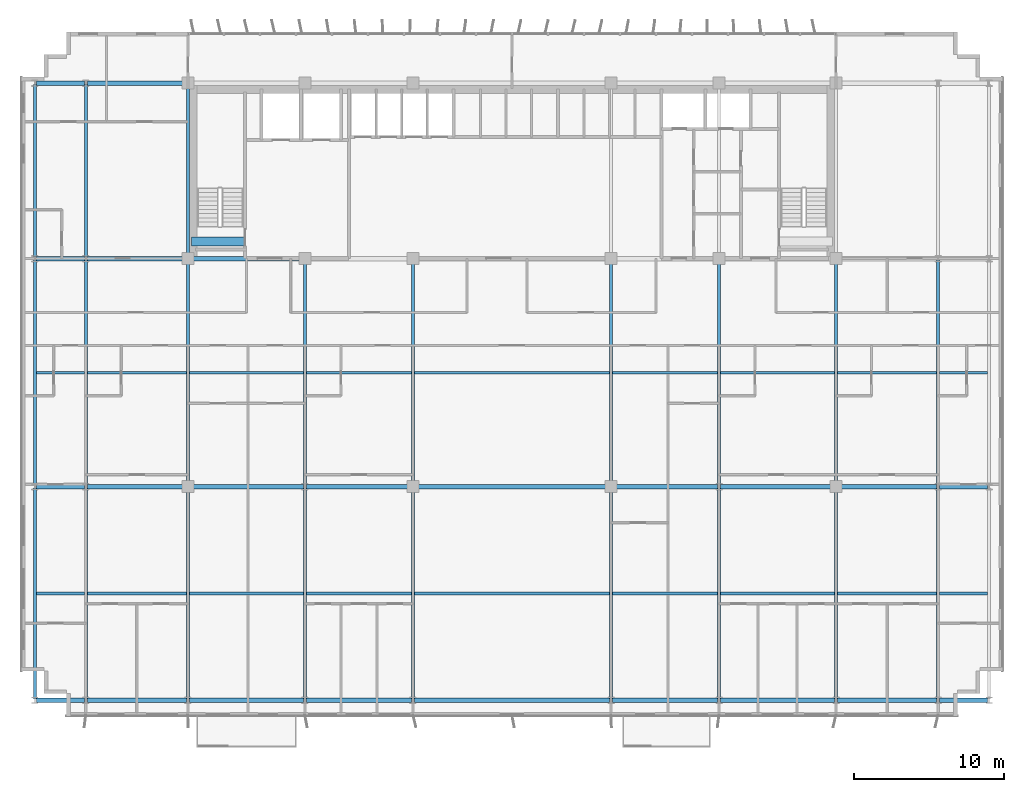
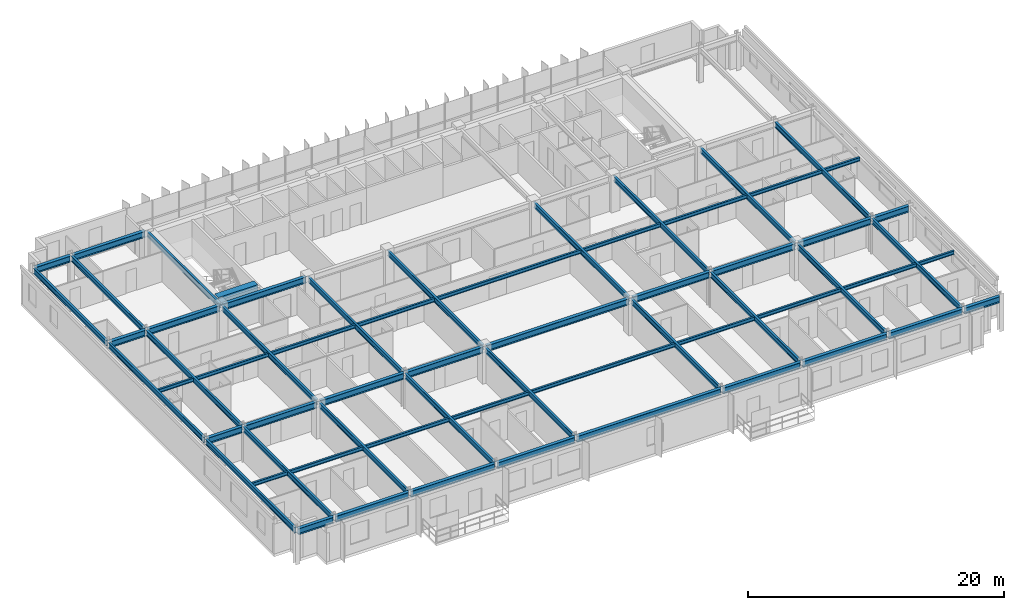
# One storey, part 4 of 22: 63 beams.
"""IFC4 building model written with IfcOpenShell, lengths in metres."""

from ifc_helpers import new_model, si_unit, direction, frame, origin, origin_2d, place, context, subcontext, project, spatial, rectangle, i_section, extrude, source, transform, mapped, material, material_profile, profile_set, type_object, element, save


model = new_model("IFC4")

# Units and contexts
model_context = context("Model", 3, precision=1e-05, world=origin(), true_north=direction((0.0, 1.0)))
body_context = subcontext(model_context, "Body", "Model", "MODEL_VIEW")
ifc_project = project(units=[si_unit("LENGTHUNIT", "METRE"), si_unit("AREAUNIT", "SQUARE_METRE"), si_unit("VOLUMEUNIT", "CUBIC_METRE"), si_unit("PLANEANGLEUNIT", "RADIAN"), si_unit("MASSUNIT", "GRAM", prefix="KILO")], contexts=[model_context])

# Site, building, storey
site_placement = place(None, origin())
site = spatial("IfcSite", under=ifc_project, at=site_placement, CompositionType="ELEMENT")
building_placement = place(site_placement, origin())
building = spatial("IfcBuilding", under=site, at=building_placement, Name="Trelvane Seafront Commons", CompositionType="ELEMENT")
storey_placement = place(building_placement, frame((0.0, 0.0, 96.10009765625)))
storey = spatial("IfcBuildingStorey", under=building, at=storey_placement, Name="L24", CompositionType="ELEMENT", Elevation=96.10009765625)

# Beams
ifc_material_1 = material(Name="Concrete C60/75", Category="concrete")
ifc_material_profile_1 = material_profile(ifc_material_1, rectangle(XDim=0.60009765625, YDim=0.89990234375, at=origin_2d()), Name="RC-600x900")
ifc_profile_set_1 = profile_set([ifc_material_profile_1], Name="Concrete C60/75")
beam_type_1 = type_object("IfcBeamType", Name="STR-LNT-RC600x900", PredefinedType="LINTEL", material=ifc_profile_set_1)
shared_shape_1 = source(origin(), body_context, "Body", "SweptSolid", [
    extrude(rectangle(XDim=0.60009765625, YDim=0.89990234375, at=origin_2d()), origin(), (0.0, 0.0, 1.0), 3.5498046875),
])
beam_1_placement = place(storey_placement, frame((15.85009765625, 34.550048828125, 2.889892578125), z_axis=(1.0, 0.0, 0.0), x_axis=(0.0, 1.0, 0.0)))
element("IfcBeam", 1, at=beam_1_placement, inside=storey, type_object=beam_type_1, Name="L24 Core Coupling Lintel Beam CB-85", PredefinedType="LINTEL", context=body_context, shape_type="MappedRepresentation", body=[
    mapped(shared_shape_1, transform((0.0, 0.0, 0.0), x_axis=(1.0, 0.0, 0.0), y_axis=(0.0, 1.0, 0.0), z_axis=(0.0, 0.0, 1.0), scale=1.0)),
])
ifc_material_2 = material(Name="Steel SM355 (S355)", Category="steel")
ifc_material_profile_2 = material_profile(ifc_material_2, i_section(OverallWidth=0.300048828125, OverallDepth=0.587890625, WebThickness=0.011962890625, FlangeThickness=0.02001953125, at=origin_2d()), Name="H-588x300x12x20")
ifc_profile_set_2 = profile_set([ifc_material_profile_2], Name="Steel SM355 (S355)")
beam_type_2 = type_object("IfcBeamType", Name="STR-BM-H588", PredefinedType="BEAM", material=ifc_profile_set_2)
shared_shape_2 = source(origin(), body_context, "Body", "SweptSolid", [
    extrude(i_section(OverallWidth=0.300048828125, OverallDepth=0.587890625, WebThickness=0.011962890625, FlangeThickness=0.02001953125, at=origin_2d()), origin(), (0.0, 0.0, 1.0), 7.550048828125),
])
beam_2_placement = place(storey_placement, frame((15.75, 18.199951171875, 3.0458984375), z_axis=(1.0, 0.0, 0.0), x_axis=(0.0, 1.0, 0.0)))
element("IfcBeam", 2, at=beam_2_placement, inside=storey, type_object=beam_type_2, Name="L24 Primary Girder G-12", PredefinedType="BEAM", context=body_context, shape_type="MappedRepresentation", body=[
    mapped(shared_shape_2, transform((0.0, 0.0, 0.0), x_axis=(1.0, 0.0, 0.0), y_axis=(0.0, 1.0, 0.0), z_axis=(0.0, 0.0, 1.0), scale=1.0)),
])
shared_shape_3 = source(origin(), body_context, "Body", "SweptSolid", [
    extrude(i_section(OverallWidth=0.300048828125, OverallDepth=0.587890625, WebThickness=0.011962890625, FlangeThickness=0.02001953125, at=origin_2d()), origin(), (0.0, 0.0, 1.0), 3.199951171875),
])
for number, where, z_axis, x_axis, name in (
    (3, (5.5, 3.949951171875, 3.0458984375), (1.0, 0.0, 0.0), (0.0, 1.0, 0.0), "L24 Primary Girder G-01"),
    (4, (65.699951171875, 3.949951171875, 3.0458984375), (1.0, 0.0, 0.0), (0.0, 1.0, 0.0), "L24 Primary Girder G-09"),
    (5, (5.5, 18.199951171875, 3.0458984375), (1.0, 0.0, 0.0), (0.0, 1.0, 0.0), "L24 Primary Girder G-10"),
    (6, (65.699951171875, 18.199951171875, 3.0458984375), (1.0, 0.0, 0.0), (0.0, 1.0, 0.0), "L24 Primary Girder G-18"),
    (7, (5.5, 33.39990234375, 3.0458984375), (1.0, 0.0, 0.0), (0.0, 1.0, 0.0), "L24 Primary Girder G-19"),
    (8, (5.5, 45.10009765625, 3.0458984375), (1.0, 0.0, 0.0), (0.0, 1.0, 0.0), "L24 Primary Girder G-28"),
):
    element("IfcBeam", number, at=place(storey_placement, frame(where, z_axis=z_axis, x_axis=x_axis)), inside=storey, type_object=beam_type_2, Name=name, PredefinedType="BEAM", context=body_context, shape_type="MappedRepresentation", body=[
        mapped(shared_shape_3, transform((0.0, 0.0, 0.0), x_axis=(1.0, 0.0, 0.0), y_axis=(0.0, 1.0, 0.0), z_axis=(0.0, 0.0, 1.0), scale=1.0)),
    ])
shared_shape_4 = source(origin(), body_context, "Body", "SweptSolid", [
    extrude(i_section(OverallWidth=0.300048828125, OverallDepth=0.587890625, WebThickness=0.011962890625, FlangeThickness=0.02001953125, at=origin_2d()), origin(), (0.0, 0.0, 1.0), 6.60009765625),
])
for number, where, z_axis, x_axis, name in (
    (9, (8.89990234375, 3.949951171875, 3.0458984375), (1.0, 0.0, 0.0), (0.0, 1.0, 0.0), "L24 Primary Girder G-02"),
    (10, (58.89990234375, 3.949951171875, 3.0458984375), (1.0, 0.0, 0.0), (0.0, 1.0, 0.0), "L24 Primary Girder G-08"),
):
    element("IfcBeam", number, at=place(storey_placement, frame(where, z_axis=z_axis, x_axis=x_axis)), inside=storey, type_object=beam_type_2, Name=name, PredefinedType="BEAM", context=body_context, shape_type="MappedRepresentation", body=[
        mapped(shared_shape_4, transform((0.0, 0.0, 0.0), x_axis=(1.0, 0.0, 0.0), y_axis=(0.0, 1.0, 0.0), z_axis=(0.0, 0.0, 1.0), scale=1.0)),
    ])
shared_shape_5 = source(origin(), body_context, "Body", "SweptSolid", [
    extrude(i_section(OverallWidth=0.300048828125, OverallDepth=0.587890625, WebThickness=0.011962890625, FlangeThickness=0.02001953125, at=origin_2d()), origin(), (0.0, 0.0, 1.0), 7.60009765625),
])
beam_3_placement = place(storey_placement, frame((15.699951171875, 3.949951171875, 3.0458984375), z_axis=(1.0, 0.0, 0.0), x_axis=(0.0, 1.0, 0.0)))
element("IfcBeam", 11, at=beam_3_placement, inside=storey, type_object=beam_type_2, Name="L24 Primary Girder G-03", PredefinedType="BEAM", context=body_context, shape_type="MappedRepresentation", body=[
    mapped(shared_shape_5, transform((0.0, 0.0, 0.0), x_axis=(1.0, 0.0, 0.0), y_axis=(0.0, 1.0, 0.0), z_axis=(0.0, 0.0, 1.0), scale=1.0)),
])
shared_shape_6 = source(origin(), body_context, "Body", "SweptSolid", [
    extrude(i_section(OverallWidth=0.300048828125, OverallDepth=0.587890625, WebThickness=0.011962890625, FlangeThickness=0.02001953125, at=origin_2d()), origin(), (0.0, 0.0, 1.0), 7.0),
])
for number, where, z_axis, x_axis, name in (
    (12, (23.5, 3.949951171875, 3.0458984375), (1.0, 0.0, 0.0), (0.0, 1.0, 0.0), "L24 Primary Girder G-04"),
    (13, (43.89990234375, 3.949951171875, 3.0458984375), (1.0, 0.0, 0.0), (0.0, 1.0, 0.0), "L24 Primary Girder G-06"),
):
    element("IfcBeam", number, at=place(storey_placement, frame(where, z_axis=z_axis, x_axis=x_axis)), inside=storey, type_object=beam_type_2, Name=name, PredefinedType="BEAM", context=body_context, shape_type="MappedRepresentation", body=[
        mapped(shared_shape_6, transform((0.0, 0.0, 0.0), x_axis=(1.0, 0.0, 0.0), y_axis=(0.0, 1.0, 0.0), z_axis=(0.0, 0.0, 1.0), scale=1.0)),
    ])
shared_shape_7 = source(origin(), body_context, "Body", "SweptSolid", [
    extrude(i_section(OverallWidth=0.300048828125, OverallDepth=0.587890625, WebThickness=0.011962890625, FlangeThickness=0.02001953125, at=origin_2d()), origin(), (0.0, 0.0, 1.0), 13.0),
])
beam_4_placement = place(storey_placement, frame((30.699951171875, 3.949951171875, 3.0458984375), z_axis=(1.0, 0.0, 0.0), x_axis=(0.0, 1.0, 0.0)))
element("IfcBeam", 14, at=beam_4_placement, inside=storey, type_object=beam_type_2, Name="L24 Primary Girder G-05", PredefinedType="BEAM", context=body_context, shape_type="MappedRepresentation", body=[
    mapped(shared_shape_7, transform((0.0, 0.0, 0.0), x_axis=(1.0, 0.0, 0.0), y_axis=(0.0, 1.0, 0.0), z_axis=(0.0, 0.0, 1.0), scale=1.0)),
])
shared_shape_8 = source(origin(), body_context, "Body", "SweptSolid", [
    extrude(i_section(OverallWidth=0.300048828125, OverallDepth=0.587890625, WebThickness=0.011962890625, FlangeThickness=0.02001953125, at=origin_2d()), origin(), (0.0, 0.0, 1.0), 7.599853515625),
])
beam_5_placement = place(storey_placement, frame((51.10009765625, 3.949951171875, 3.0458984375), z_axis=(1.0, 0.0, 0.0), x_axis=(0.0, 1.0, 0.0)))
element("IfcBeam", 15, at=beam_5_placement, inside=storey, type_object=beam_type_2, Name="L24 Primary Girder G-07", PredefinedType="BEAM", context=body_context, shape_type="MappedRepresentation", body=[
    mapped(shared_shape_8, transform((0.0, 0.0, 0.0), x_axis=(1.0, 0.0, 0.0), y_axis=(0.0, 1.0, 0.0), z_axis=(0.0, 0.0, 1.0), scale=1.0)),
])
shared_shape_9 = source(origin(), body_context, "Body", "SweptSolid", [
    extrude(i_section(OverallWidth=0.300048828125, OverallDepth=0.587890625, WebThickness=0.011962890625, FlangeThickness=0.02001953125, at=origin_2d()), origin(), (0.0, 0.0, 1.0), 6.550048828125),
])
for number, where, z_axis, x_axis, name in (
    (16, (8.89990234375, 18.199951171875, 3.0458984375), (1.0, 0.0, 0.0), (0.0, 1.0, 0.0), "L24 Primary Girder G-11"),
    (17, (58.949951171875, 18.199951171875, 3.0458984375), (1.0, 0.0, 0.0), (0.0, 1.0, 0.0), "L24 Primary Girder G-17"),
    (18, (8.89990234375, 33.39990234375, 3.0458984375), (1.0, 0.0, 0.0), (0.0, 1.0, 0.0), "L24 Primary Girder G-20"),
    (19, (8.89990234375, 45.10009765625, 3.0458984375), (1.0, 0.0, 0.0), (0.0, 1.0, 0.0), "L24 Primary Girder G-29"),
):
    element("IfcBeam", number, at=place(storey_placement, frame(where, z_axis=z_axis, x_axis=x_axis)), inside=storey, type_object=beam_type_2, Name=name, PredefinedType="BEAM", context=body_context, shape_type="MappedRepresentation", body=[
        mapped(shared_shape_9, transform((0.0, 0.0, 0.0), x_axis=(1.0, 0.0, 0.0), y_axis=(0.0, 1.0, 0.0), z_axis=(0.0, 0.0, 1.0), scale=1.0)),
    ])
shared_shape_10 = source(origin(), body_context, "Body", "SweptSolid", [
    extrude(i_section(OverallWidth=0.300048828125, OverallDepth=0.587890625, WebThickness=0.011962890625, FlangeThickness=0.02001953125, at=origin_2d()), origin(), (0.0, 0.0, 1.0), 6.949951171875),
])
for number, where, z_axis, x_axis, name in (
    (20, (23.5, 18.199951171875, 3.0458984375), (1.0, 0.0, 0.0), (0.0, 1.0, 0.0), "L24 Primary Girder G-13"),
    (21, (43.949951171875, 18.199951171875, 3.0458984375), (1.0, 0.0, 0.0), (0.0, 1.0, 0.0), "L24 Primary Girder G-15"),
):
    element("IfcBeam", number, at=place(storey_placement, frame(where, z_axis=z_axis, x_axis=x_axis)), inside=storey, type_object=beam_type_2, Name=name, PredefinedType="BEAM", context=body_context, shape_type="MappedRepresentation", body=[
        mapped(shared_shape_10, transform((0.0, 0.0, 0.0), x_axis=(1.0, 0.0, 0.0), y_axis=(0.0, 1.0, 0.0), z_axis=(0.0, 0.0, 1.0), scale=1.0)),
    ])
shared_shape_11 = source(origin(), body_context, "Body", "SweptSolid", [
    extrude(i_section(OverallWidth=0.300048828125, OverallDepth=0.587890625, WebThickness=0.011962890625, FlangeThickness=0.02001953125, at=origin_2d()), origin(), (0.0, 0.0, 1.0), 12.89990234375),
])
beam_6_placement = place(storey_placement, frame((30.75, 18.199951171875, 3.0458984375), z_axis=(1.0, 0.0, 0.0), x_axis=(0.0, 1.0, 0.0)))
element("IfcBeam", 22, at=beam_6_placement, inside=storey, type_object=beam_type_2, Name="L24 Primary Girder G-14", PredefinedType="BEAM", context=body_context, shape_type="MappedRepresentation", body=[
    mapped(shared_shape_11, transform((0.0, 0.0, 0.0), x_axis=(1.0, 0.0, 0.0), y_axis=(0.0, 1.0, 0.0), z_axis=(0.0, 0.0, 1.0), scale=1.0)),
])
shared_shape_12 = source(origin(), body_context, "Body", "SweptSolid", [
    extrude(i_section(OverallWidth=0.300048828125, OverallDepth=0.587890625, WebThickness=0.011962890625, FlangeThickness=0.02001953125, at=origin_2d()), origin(), (0.0, 0.0, 1.0), 7.5498046875),
])
beam_7_placement = place(storey_placement, frame((51.10009765625, 18.199951171875, 3.0458984375), z_axis=(1.0, 0.0, 0.0), x_axis=(0.0, 1.0, 0.0)))
element("IfcBeam", 23, at=beam_7_placement, inside=storey, type_object=beam_type_2, Name="L24 Primary Girder G-16", PredefinedType="BEAM", context=body_context, shape_type="MappedRepresentation", body=[
    mapped(shared_shape_12, transform((0.0, 0.0, 0.0), x_axis=(1.0, 0.0, 0.0), y_axis=(0.0, 1.0, 0.0), z_axis=(0.0, 0.0, 1.0), scale=1.0)),
])
shared_shape_13 = source(origin(), body_context, "Body", "SweptSolid", [
    extrude(i_section(OverallWidth=0.300048828125, OverallDepth=0.587890625, WebThickness=0.011962890625, FlangeThickness=0.02001953125, at=origin_2d()), origin(), (0.0, 0.0, 1.0), 7.5),
])
beam_8_placement = place(storey_placement, frame((15.75, 33.39990234375, 3.0458984375), z_axis=(1.0, 0.0, 0.0), x_axis=(0.0, 1.0, 0.0)))
element("IfcBeam", 24, at=beam_8_placement, inside=storey, type_object=beam_type_2, Name="L24 Primary Girder G-21", PredefinedType="BEAM", context=body_context, shape_type="MappedRepresentation", body=[
    mapped(shared_shape_13, transform((0.0, 0.0, 0.0), x_axis=(1.0, 0.0, 0.0), y_axis=(0.0, 1.0, 0.0), z_axis=(0.0, 0.0, 1.0), scale=1.0)),
])
ifc_material_profile_3 = material_profile(ifc_material_2, i_section(OverallWidth=0.199951171875, OverallDepth=0.5, WebThickness=0.010009765625, FlangeThickness=0.01611328125, at=origin_2d()), Name="H-500x200x10x16")
ifc_profile_set_3 = profile_set([ifc_material_profile_3], Name="Steel SM355 (S355)")
beam_type_3 = type_object("IfcBeamType", Name="STR-BM-H500", PredefinedType="BEAM", material=ifc_profile_set_3)
shared_shape_14 = source(origin(), body_context, "Body", "SweptSolid", [
    extrude(i_section(OverallWidth=0.199951171875, OverallDepth=0.5, WebThickness=0.010009765625, FlangeThickness=0.01611328125, at=origin_2d()), origin(), (0.0, 0.0, 1.0), 14.050048828125),
])
for number, where, z_axis, x_axis, name in (
    (25, (5.39990234375, 4.050048828125, 3.08984375), (0.0, 1.0, 0.0), (-1.0, 0.0, 0.0), "L24 Primary Girder G-37"),
    (26, (8.800048828125, 4.050048828125, 3.08984375), (0.0, 1.0, 0.0), (-1.0, 0.0, 0.0), "L24 Primary Girder G-40"),
    (27, (23.39990234375, 4.050048828125, 3.08984375), (0.0, 1.0, 0.0), (-1.0, 0.0, 0.0), "L24 Primary Girder G-46"),
    (28, (51.0, 4.050048828125, 3.08984375), (0.0, 1.0, 0.0), (-1.0, 0.0, 0.0), "L24 Primary Girder G-55"),
    (29, (65.60009765625, 4.050048828125, 3.08984375), (0.0, 1.0, 0.0), (-1.0, 0.0, 0.0), "L24 Primary Girder G-61"),
):
    element("IfcBeam", number, at=place(storey_placement, frame(where, z_axis=z_axis, x_axis=x_axis)), inside=storey, type_object=beam_type_3, Name=name, PredefinedType="BEAM", context=body_context, shape_type="MappedRepresentation", body=[
        mapped(shared_shape_14, transform((0.0, 0.0, 0.0), x_axis=(1.0, 0.0, 0.0), y_axis=(0.0, 1.0, 0.0), z_axis=(0.0, 0.0, 1.0), scale=1.0)),
    ])
shared_shape_15 = source(origin(), body_context, "Body", "SweptSolid", [
    extrude(i_section(OverallWidth=0.199951171875, OverallDepth=0.5, WebThickness=0.010009765625, FlangeThickness=0.01611328125, at=origin_2d()), origin(), (0.0, 0.0, 1.0), 15.0),
])
for number, where, z_axis, x_axis, name in (
    (30, (5.39990234375, 18.300048828125, 3.08984375), (0.0, 1.0, 0.0), (-1.0, 0.0, 0.0), "L24 Primary Girder G-38"),
    (31, (8.800048828125, 18.300048828125, 3.08984375), (0.0, 1.0, 0.0), (-1.0, 0.0, 0.0), "L24 Primary Girder G-41"),
    (32, (65.60009765625, 18.300048828125, 3.08984375), (0.0, 1.0, 0.0), (-1.0, 0.0, 0.0), "L24 Primary Girder G-62"),
):
    element("IfcBeam", number, at=place(storey_placement, frame(where, z_axis=z_axis, x_axis=x_axis)), inside=storey, type_object=beam_type_3, Name=name, PredefinedType="BEAM", context=body_context, shape_type="MappedRepresentation", body=[
        mapped(shared_shape_15, transform((0.0, 0.0, 0.0), x_axis=(1.0, 0.0, 0.0), y_axis=(0.0, 1.0, 0.0), z_axis=(0.0, 0.0, 1.0), scale=1.0)),
    ])
shared_shape_16 = source(origin(), body_context, "Body", "SweptSolid", [
    extrude(i_section(OverallWidth=0.199951171875, OverallDepth=0.5, WebThickness=0.010009765625, FlangeThickness=0.01611328125, at=origin_2d()), origin(), (0.0, 0.0, 1.0), 11.5),
])
for number, where, z_axis, x_axis, name in (
    (33, (5.39990234375, 33.5, 3.08984375), (0.0, 1.0, 0.0), (-1.0, 0.0, 0.0), "L24 Primary Girder G-39"),
    (34, (8.800048828125, 33.5, 3.08984375), (0.0, 1.0, 0.0), (-1.0, 0.0, 0.0), "L24 Primary Girder G-42"),
):
    element("IfcBeam", number, at=place(storey_placement, frame(where, z_axis=z_axis, x_axis=x_axis)), inside=storey, type_object=beam_type_3, Name=name, PredefinedType="BEAM", context=body_context, shape_type="MappedRepresentation", body=[
        mapped(shared_shape_16, transform((0.0, 0.0, 0.0), x_axis=(1.0, 0.0, 0.0), y_axis=(0.0, 1.0, 0.0), z_axis=(0.0, 0.0, 1.0), scale=1.0)),
    ])
shared_shape_17 = source(origin(), body_context, "Body", "SweptSolid", [
    extrude(i_section(OverallWidth=0.199951171875, OverallDepth=0.5, WebThickness=0.010009765625, FlangeThickness=0.01611328125, at=origin_2d()), origin(), (0.0, 0.0, 1.0), 14.0),
])
for number, where, z_axis, x_axis, name in (
    (35, (15.60009765625, 4.050048828125, 3.08984375), (0.0, 1.0, 0.0), (-1.0, 0.0, 0.0), "L24 Primary Girder G-43"),
    (36, (30.60009765625, 4.050048828125, 3.08984375), (0.0, 1.0, 0.0), (-1.0, 0.0, 0.0), "L24 Primary Girder G-49"),
    (37, (43.800048828125, 4.050048828125, 3.08984375), (0.0, 1.0, 0.0), (-1.0, 0.0, 0.0), "L24 Primary Girder G-52"),
    (38, (58.800048828125, 4.050048828125, 3.08984375), (0.0, 1.0, 0.0), (-1.0, 0.0, 0.0), "L24 Primary Girder G-58"),
):
    element("IfcBeam", number, at=place(storey_placement, frame(where, z_axis=z_axis, x_axis=x_axis)), inside=storey, type_object=beam_type_3, Name=name, PredefinedType="BEAM", context=body_context, shape_type="MappedRepresentation", body=[
        mapped(shared_shape_17, transform((0.0, 0.0, 0.0), x_axis=(1.0, 0.0, 0.0), y_axis=(0.0, 1.0, 0.0), z_axis=(0.0, 0.0, 1.0), scale=1.0)),
    ])
shared_shape_18 = source(origin(), body_context, "Body", "SweptSolid", [
    extrude(i_section(OverallWidth=0.199951171875, OverallDepth=0.5, WebThickness=0.010009765625, FlangeThickness=0.01611328125, at=origin_2d()), origin(), (0.0, 0.0, 1.0), 14.89990234375),
])
for number, where, z_axis, x_axis, name in (
    (39, (15.60009765625, 18.35009765625, 3.08984375), (0.0, 1.0, 0.0), (-1.0, 0.0, 0.0), "L24 Primary Girder G-44"),
    (40, (30.60009765625, 18.35009765625, 3.08984375), (0.0, 1.0, 0.0), (-1.0, 0.0, 0.0), "L24 Primary Girder G-50"),
    (41, (43.800048828125, 18.35009765625, 3.08984375), (0.0, 1.0, 0.0), (-1.0, 0.0, 0.0), "L24 Primary Girder G-53"),
    (42, (58.800048828125, 18.35009765625, 3.08984375), (0.0, 1.0, 0.0), (-1.0, 0.0, 0.0), "L24 Primary Girder G-59"),
):
    element("IfcBeam", number, at=place(storey_placement, frame(where, z_axis=z_axis, x_axis=x_axis)), inside=storey, type_object=beam_type_3, Name=name, PredefinedType="BEAM", context=body_context, shape_type="MappedRepresentation", body=[
        mapped(shared_shape_18, transform((0.0, 0.0, 0.0), x_axis=(1.0, 0.0, 0.0), y_axis=(0.0, 1.0, 0.0), z_axis=(0.0, 0.0, 1.0), scale=1.0)),
    ])
shared_shape_19 = source(origin(), body_context, "Body", "SweptSolid", [
    extrude(i_section(OverallWidth=0.199951171875, OverallDepth=0.5, WebThickness=0.010009765625, FlangeThickness=0.01611328125, at=origin_2d()), origin(), (0.0, 0.0, 1.0), 11.39990234375),
])
beam_9_placement = place(storey_placement, frame((15.60009765625, 33.550048828125, 3.08984375), z_axis=(0.0, 1.0, 0.0), x_axis=(-1.0, 0.0, 0.0)))
element("IfcBeam", 43, at=beam_9_placement, inside=storey, type_object=beam_type_3, Name="L24 Primary Girder G-45", PredefinedType="BEAM", context=body_context, shape_type="MappedRepresentation", body=[
    mapped(shared_shape_19, transform((0.0, 0.0, 0.0), x_axis=(1.0, 0.0, 0.0), y_axis=(0.0, 1.0, 0.0), z_axis=(0.0, 0.0, 1.0), scale=1.0)),
])
shared_shape_20 = source(origin(), body_context, "Body", "SweptSolid", [
    extrude(i_section(OverallWidth=0.199951171875, OverallDepth=0.5, WebThickness=0.010009765625, FlangeThickness=0.01611328125, at=origin_2d()), origin(), (0.0, 0.0, 1.0), 14.949951171875),
])
for number, where, z_axis, x_axis, name in (
    (44, (23.39990234375, 18.300048828125, 3.08984375), (0.0, 1.0, 0.0), (-1.0, 0.0, 0.0), "L24 Primary Girder G-47"),
    (45, (51.0, 18.300048828125, 3.08984375), (0.0, 1.0, 0.0), (-1.0, 0.0, 0.0), "L24 Primary Girder G-56"),
):
    element("IfcBeam", number, at=place(storey_placement, frame(where, z_axis=z_axis, x_axis=x_axis)), inside=storey, type_object=beam_type_3, Name=name, PredefinedType="BEAM", context=body_context, shape_type="MappedRepresentation", body=[
        mapped(shared_shape_20, transform((0.0, 0.0, 0.0), x_axis=(1.0, 0.0, 0.0), y_axis=(0.0, 1.0, 0.0), z_axis=(0.0, 0.0, 1.0), scale=1.0)),
    ])
ifc_material_profile_4 = material_profile(ifc_material_2, i_section(OverallWidth=0.175048828125, OverallDepth=0.35009765625, WebThickness=0.007080078125, FlangeThickness=0.010986328125, at=origin_2d()), Name="H-350x175x7x11")
ifc_profile_set_4 = profile_set([ifc_material_profile_4], Name="Steel SM355 (S355)")
beam_type_4 = type_object("IfcBeamType", Name="STR-JST-H350", PredefinedType="JOIST", material=ifc_profile_set_4)
shared_shape_21 = source(origin(), body_context, "Body", "SweptSolid", [
    extrude(i_section(OverallWidth=0.175048828125, OverallDepth=0.35009765625, WebThickness=0.007080078125, FlangeThickness=0.010986328125, at=origin_2d()), origin(), (0.0, 0.0, 1.0), 3.199951171875),
])
for number, where, z_axis, x_axis, name in (
    (46, (5.5, 11.074951171875, 3.164794921875), (1.0, 0.0, 0.0), (0.0, 1.0, 0.0), "L24 Secondary Floor Joist B-67"),
    (47, (65.699951171875, 11.074951171875, 3.164794921875), (1.0, 0.0, 0.0), (0.0, 1.0, 0.0), "L24 Secondary Floor Joist B-75"),
    (48, (5.5, 25.800048828125, 3.164794921875), (1.0, 0.0, 0.0), (0.0, 1.0, 0.0), "L24 Secondary Floor Joist B-76"),
    (49, (65.699951171875, 25.800048828125, 3.164794921875), (1.0, 0.0, 0.0), (0.0, 1.0, 0.0), "L24 Secondary Floor Joist B-84"),
):
    element("IfcBeam", number, at=place(storey_placement, frame(where, z_axis=z_axis, x_axis=x_axis)), inside=storey, type_object=beam_type_4, Name=name, PredefinedType="JOIST", context=body_context, shape_type="MappedRepresentation", body=[
        mapped(shared_shape_21, transform((0.0, 0.0, 0.0), x_axis=(1.0, 0.0, 0.0), y_axis=(0.0, 1.0, 0.0), z_axis=(0.0, 0.0, 1.0), scale=1.0)),
    ])
shared_shape_22 = source(origin(), body_context, "Body", "SweptSolid", [
    extrude(i_section(OverallWidth=0.175048828125, OverallDepth=0.35009765625, WebThickness=0.007080078125, FlangeThickness=0.010986328125, at=origin_2d()), origin(), (0.0, 0.0, 1.0), 6.60009765625),
])
for number, where, z_axis, x_axis, name in (
    (50, (8.89990234375, 11.074951171875, 3.164794921875), (1.0, 0.0, 0.0), (0.0, 1.0, 0.0), "L24 Secondary Floor Joist B-68"),
    (51, (58.89990234375, 11.074951171875, 3.164794921875), (1.0, 0.0, 0.0), (0.0, 1.0, 0.0), "L24 Secondary Floor Joist B-74"),
    (52, (8.89990234375, 25.800048828125, 3.164794921875), (1.0, 0.0, 0.0), (0.0, 1.0, 0.0), "L24 Secondary Floor Joist B-77"),
    (53, (58.89990234375, 25.800048828125, 3.164794921875), (1.0, 0.0, 0.0), (0.0, 1.0, 0.0), "L24 Secondary Floor Joist B-83"),
):
    element("IfcBeam", number, at=place(storey_placement, frame(where, z_axis=z_axis, x_axis=x_axis)), inside=storey, type_object=beam_type_4, Name=name, PredefinedType="JOIST", context=body_context, shape_type="MappedRepresentation", body=[
        mapped(shared_shape_22, transform((0.0, 0.0, 0.0), x_axis=(1.0, 0.0, 0.0), y_axis=(0.0, 1.0, 0.0), z_axis=(0.0, 0.0, 1.0), scale=1.0)),
    ])
shared_shape_23 = source(origin(), body_context, "Body", "SweptSolid", [
    extrude(i_section(OverallWidth=0.175048828125, OverallDepth=0.35009765625, WebThickness=0.007080078125, FlangeThickness=0.010986328125, at=origin_2d()), origin(), (0.0, 0.0, 1.0), 7.60009765625),
])
for number, where, z_axis, x_axis, name in (
    (54, (15.699951171875, 11.074951171875, 3.164794921875), (1.0, 0.0, 0.0), (0.0, 1.0, 0.0), "L24 Secondary Floor Joist B-69"),
    (55, (15.699951171875, 25.800048828125, 3.164794921875), (1.0, 0.0, 0.0), (0.0, 1.0, 0.0), "L24 Secondary Floor Joist B-78"),
):
    element("IfcBeam", number, at=place(storey_placement, frame(where, z_axis=z_axis, x_axis=x_axis)), inside=storey, type_object=beam_type_4, Name=name, PredefinedType="JOIST", context=body_context, shape_type="MappedRepresentation", body=[
        mapped(shared_shape_23, transform((0.0, 0.0, 0.0), x_axis=(1.0, 0.0, 0.0), y_axis=(0.0, 1.0, 0.0), z_axis=(0.0, 0.0, 1.0), scale=1.0)),
    ])
shared_shape_24 = source(origin(), body_context, "Body", "SweptSolid", [
    extrude(i_section(OverallWidth=0.175048828125, OverallDepth=0.35009765625, WebThickness=0.007080078125, FlangeThickness=0.010986328125, at=origin_2d()), origin(), (0.0, 0.0, 1.0), 7.0),
])
for number, where, z_axis, x_axis, name in (
    (56, (23.5, 11.074951171875, 3.164794921875), (1.0, 0.0, 0.0), (0.0, 1.0, 0.0), "L24 Secondary Floor Joist B-70"),
    (57, (43.89990234375, 11.074951171875, 3.164794921875), (1.0, 0.0, 0.0), (0.0, 1.0, 0.0), "L24 Secondary Floor Joist B-72"),
    (58, (23.5, 25.800048828125, 3.164794921875), (1.0, 0.0, 0.0), (0.0, 1.0, 0.0), "L24 Secondary Floor Joist B-79"),
    (59, (43.89990234375, 25.800048828125, 3.164794921875), (1.0, 0.0, 0.0), (0.0, 1.0, 0.0), "L24 Secondary Floor Joist B-81"),
):
    element("IfcBeam", number, at=place(storey_placement, frame(where, z_axis=z_axis, x_axis=x_axis)), inside=storey, type_object=beam_type_4, Name=name, PredefinedType="JOIST", context=body_context, shape_type="MappedRepresentation", body=[
        mapped(shared_shape_24, transform((0.0, 0.0, 0.0), x_axis=(1.0, 0.0, 0.0), y_axis=(0.0, 1.0, 0.0), z_axis=(0.0, 0.0, 1.0), scale=1.0)),
    ])
shared_shape_25 = source(origin(), body_context, "Body", "SweptSolid", [
    extrude(i_section(OverallWidth=0.175048828125, OverallDepth=0.35009765625, WebThickness=0.007080078125, FlangeThickness=0.010986328125, at=origin_2d()), origin(), (0.0, 0.0, 1.0), 13.0),
])
for number, where, z_axis, x_axis, name in (
    (60, (30.699951171875, 11.074951171875, 3.164794921875), (1.0, 0.0, 0.0), (0.0, 1.0, 0.0), "L24 Secondary Floor Joist B-71"),
    (61, (30.699951171875, 25.800048828125, 3.164794921875), (1.0, 0.0, 0.0), (0.0, 1.0, 0.0), "L24 Secondary Floor Joist B-80"),
):
    element("IfcBeam", number, at=place(storey_placement, frame(where, z_axis=z_axis, x_axis=x_axis)), inside=storey, type_object=beam_type_4, Name=name, PredefinedType="JOIST", context=body_context, shape_type="MappedRepresentation", body=[
        mapped(shared_shape_25, transform((0.0, 0.0, 0.0), x_axis=(1.0, 0.0, 0.0), y_axis=(0.0, 1.0, 0.0), z_axis=(0.0, 0.0, 1.0), scale=1.0)),
    ])
shared_shape_26 = source(origin(), body_context, "Body", "SweptSolid", [
    extrude(i_section(OverallWidth=0.175048828125, OverallDepth=0.35009765625, WebThickness=0.007080078125, FlangeThickness=0.010986328125, at=origin_2d()), origin(), (0.0, 0.0, 1.0), 7.599853515625),
])
for number, where, z_axis, x_axis, name in (
    (62, (51.10009765625, 11.074951171875, 3.164794921875), (1.0, 0.0, 0.0), (0.0, 1.0, 0.0), "L24 Secondary Floor Joist B-73"),
    (63, (51.10009765625, 25.800048828125, 3.164794921875), (1.0, 0.0, 0.0), (0.0, 1.0, 0.0), "L24 Secondary Floor Joist B-82"),
):
    element("IfcBeam", number, at=place(storey_placement, frame(where, z_axis=z_axis, x_axis=x_axis)), inside=storey, type_object=beam_type_4, Name=name, PredefinedType="JOIST", context=body_context, shape_type="MappedRepresentation", body=[
        mapped(shared_shape_26, transform((0.0, 0.0, 0.0), x_axis=(1.0, 0.0, 0.0), y_axis=(0.0, 1.0, 0.0), z_axis=(0.0, 0.0, 1.0), scale=1.0)),
    ])

save(model, "model.ifc")
